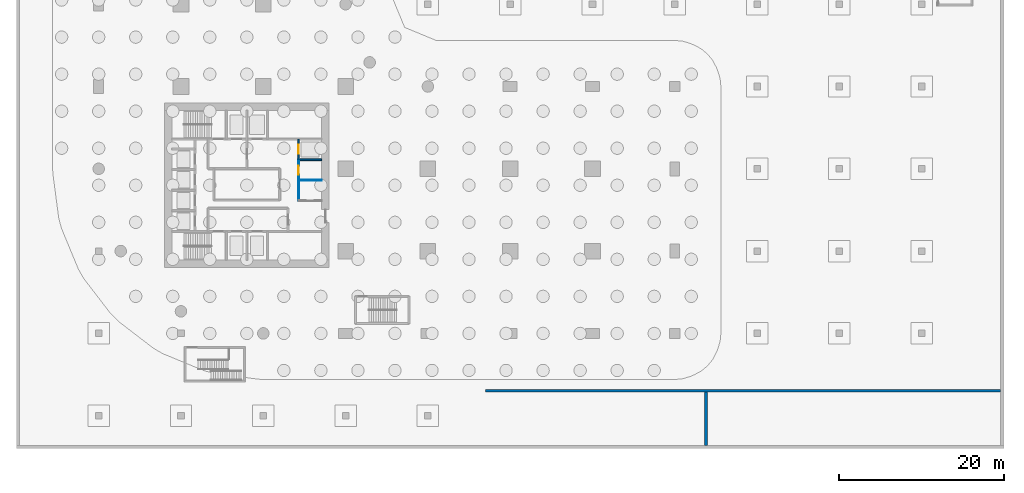
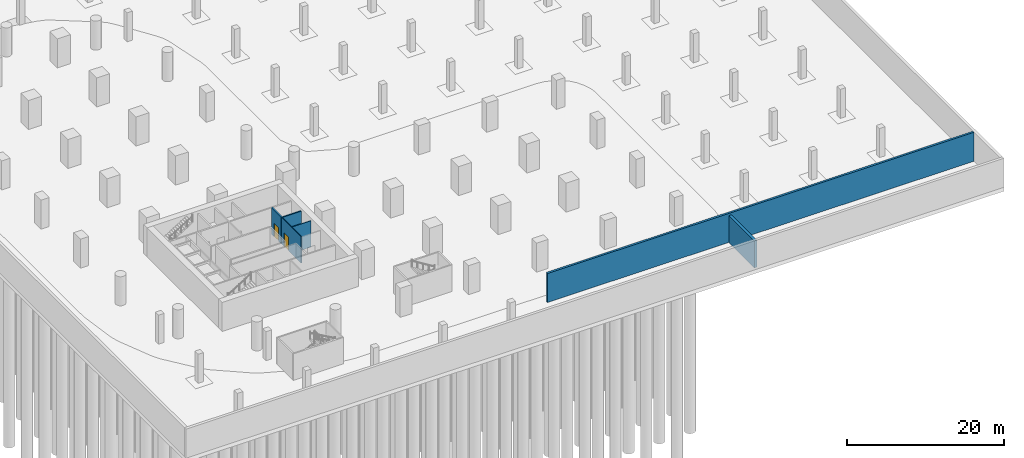
# One storey, part 9 of 19: 6 walls, 2 doors, 2 openings.
"""IFC4 building model written with IfcOpenShell, lengths in metres."""

from ifc_helpers import new_model, si_unit, direction, frame, frame_2d, origin, place, context, subcontext, project, spatial, rectangle, extrude, material, layer, layer_set, type_object, element, fill, save


model = new_model("IFC4")

# Units and contexts
model_context = context("Model", 3, precision=1e-05, world=origin(), true_north=direction((0.0, 1.0)))
body_context = subcontext(model_context, "Body", "Model", "MODEL_VIEW")
ifc_project = project(units=[si_unit("LENGTHUNIT", "METRE"), si_unit("AREAUNIT", "SQUARE_METRE"), si_unit("VOLUMEUNIT", "CUBIC_METRE"), si_unit("PLANEANGLEUNIT", "RADIAN"), si_unit("MASSUNIT", "GRAM", prefix="KILO")], contexts=[model_context])

# Site, building, storey
site_placement = place(None, origin())
site = spatial("IfcSite", under=ifc_project, at=site_placement, CompositionType="ELEMENT")
building_placement = place(site_placement, origin())
building = spatial("IfcBuilding", under=site, at=building_placement, Name="Qaws Garden Tower", CompositionType="ELEMENT")
storey_placement = place(building_placement, frame((0.0, 0.0, -9.0)))
storey = spatial("IfcBuildingStorey", under=building, at=storey_placement, Name="B2", CompositionType="ELEMENT", Elevation=-9.0)

# Wall
ifc_material_1 = material(Name="Plasterboard")
ifc_layer_1 = layer(ifc_material_1, 0.10009765625)
ifc_layer_set_1 = layer_set([ifc_layer_1], Name="Plasterboard")
wall_type_1 = type_object("IfcWallType", Name="Core partition 100", PredefinedType="PARTITIONING", material=ifc_layer_set_1)
wall_1_placement = place(storey_placement, frame((24.300048828125, 18.60009765625, 0.0), z_axis=(0.0, 0.0, 1.0), x_axis=(1.0, 0.0, 0.0)))
element("IfcWall", 1, at=wall_1_placement, inside=storey, type_object=wall_type_1, Name="Core partition", PredefinedType="PARTITIONING", context=body_context, shape_type="SweptSolid", body=[
    extrude(rectangle(XDim=2.800048828125, YDim=0.10009765625, at=frame_2d((1.39990234375, 0.0))), origin(), (0.0, 0.0, 1.0), 4.10009765625),
])

# Wall, opening, door
wall_2_placement = place(storey_placement, frame((24.300048828125, 16.10009765625, 0.0), z_axis=(0.0, 0.0, 1.0), x_axis=(0.0, 1.0, 0.0)))
wall_2 = element("IfcWall", 2, at=wall_2_placement, inside=storey, type_object=wall_type_1, Name="Core partition", PredefinedType="PARTITIONING", context=body_context, shape_type="SweptSolid", body=[
    extrude(rectangle(XDim=5.0, YDim=0.10009765625, at=frame_2d((2.5, 0.0))), origin(), (0.0, 0.0, 1.0), 4.10009765625),
])
opening_1_placement = place(wall_2_placement, frame((3.199951171875, 0.0, 0.0)))
opening_1 = element("IfcOpeningElement", 3, at=opening_1_placement, cuts=wall_2, Name="Opening XD16", PredefinedType="OPENING", context=body_context, shape_type="SweptSolid", body=[
    extrude(rectangle(XDim=1.10009765625, YDim=2.10009765625, at=frame_2d((0.550048828125, 1.050048828125))), frame((0.0, 0.06005859375, 0.0), z_axis=(0.0, -1.0, 0.0), x_axis=(1.0, 0.0, 0.0)), (0.0, 0.0, 1.0), 0.1201171875),
])
ifc_material_2 = material(Name="Timber", Category="wood")
door_type_1 = type_object("IfcDoorType", Name="WC lobby door 1100x2100", OperationType="SINGLE_SWING_LEFT", PredefinedType="DOOR", material=ifc_material_2)
door_1_placement = place(opening_1_placement, frame((1.10009765625, 0.0, 0.0), z_axis=(0.0, 0.0, 1.0), x_axis=(-1.0, 0.0, 0.0)))
door_1 = element("IfcDoor", 4, at=door_1_placement, inside=storey, type_object=door_type_1, Name="Pump and sump room door", OperationType="SINGLE_SWING_LEFT", OverallHeight=2.10009765625, OverallWidth=1.10009765625, PredefinedType="DOOR", context=body_context, shape_type="SweptSolid", body=[
    extrude(rectangle(XDim=1.10009765625, YDim=2.10009765625, at=frame_2d((0.550048828125, 1.050048828125))), frame((0.0, 0.02490234375, 0.0), z_axis=(0.0, -1.0, 0.0), x_axis=(1.0, 0.0, 0.0)), (0.0, 0.0, 1.0), 0.050048828125),
])
fill(opening_1, door_1)

# Wall
ifc_material_3 = material(Name="Concrete C80", Category="concrete")
ifc_layer_2 = layer(ifc_material_3, 0.199951171875)
ifc_layer_set_2 = layer_set([ifc_layer_2], Name="Concrete C80")
wall_type_2 = type_object("IfcWallType", Name="Core shaft wall 200 C80", PredefinedType="SHEAR", material=ifc_layer_set_2)
wall_3_placement = place(storey_placement, frame((24.300048828125, 21.10009765625, 0.0), z_axis=(0.0, 0.0, 1.0), x_axis=(1.0, 0.0, 0.0)))
element("IfcWall", 5, at=wall_3_placement, inside=storey, type_object=wall_type_2, Name="Shaft wall", PredefinedType="SHEAR", context=body_context, shape_type="SweptSolid", body=[
    extrude(rectangle(XDim=2.800048828125, YDim=0.199951171875, at=frame_2d((1.39990234375, 0.0))), origin(), (0.0, 0.0, 1.0), 4.10009765625),
])

# Wall, opening, door
wall_4_placement = place(storey_placement, frame((24.300048828125, 21.10009765625, 0.0), z_axis=(0.0, 0.0, 1.0), x_axis=(0.0, 1.0, 0.0)))
wall_4 = element("IfcWall", 6, at=wall_4_placement, inside=storey, type_object=wall_type_2, Name="Shaft wall", PredefinedType="SHEAR", context=body_context, shape_type="SweptSolid", body=[
    extrude(rectangle(XDim=2.5, YDim=0.199951171875, at=frame_2d((1.25, 0.0))), origin(), (0.0, 0.0, 1.0), 4.10009765625),
])
opening_2_placement = place(wall_4_placement, frame((0.699951171875, 0.0, 0.0)))
opening_2 = element("IfcOpeningElement", 7, at=opening_2_placement, cuts=wall_4, Name="Opening LD05", PredefinedType="OPENING", context=body_context, shape_type="SweptSolid", body=[
    extrude(rectangle(XDim=1.10009765625, YDim=2.10009765625, at=frame_2d((0.550048828125, 1.050048828125))), frame((0.0, 0.10986328125, 0.0), z_axis=(0.0, -1.0, 0.0), x_axis=(1.0, 0.0, 0.0)), (0.0, 0.0, 1.0), 0.219970703125),
])
ifc_material_4 = material(Name="Steel S235", Category="steel")
door_type_2 = type_object("IfcDoorType", Name="Landing door 1100x2100", OperationType="DOUBLE_DOOR_SLIDING", PredefinedType="DOOR", material=ifc_material_4)
door_2_placement = place(opening_2_placement, origin())
door_2 = element("IfcDoor", 8, at=door_2_placement, inside=storey, type_object=door_type_2, Name="Lift E3 landing door", OperationType="DOUBLE_DOOR_SLIDING", OverallHeight=2.10009765625, OverallWidth=1.10009765625, PredefinedType="DOOR", context=body_context, shape_type="SweptSolid", body=[
    extrude(rectangle(XDim=1.10009765625, YDim=2.10009765625, at=frame_2d((0.550048828125, 1.050048828125))), frame((0.0, 0.02490234375, 0.0), z_axis=(0.0, -1.0, 0.0), x_axis=(1.0, 0.0, 0.0)), (0.0, 0.0, 1.0), 0.050048828125),
])
fill(opening_2, door_2)

# Walls
ifc_material_5 = material(Name="Concrete C45", Category="concrete")
ifc_layer_3 = layer(ifc_material_5, 0.300048828125)
ifc_layer_set_3 = layer_set([ifc_layer_3], Name="Concrete C45")
wall_type_3 = type_object("IfcWallType", Name="Ramp trench wall 300", PredefinedType="SOLIDWALL", material=ifc_layer_set_3)
wall_5_placement = place(storey_placement, frame((47.0, -6.949951171875, 0.0), z_axis=(0.0, 0.0, 1.0), x_axis=(1.0, 0.0, 0.0)))
element("IfcWall", 9, at=wall_5_placement, inside=storey, type_object=wall_type_3, Name="Ramp trench wall B2", PredefinedType="SOLIDWALL", context=body_context, shape_type="SweptSolid", body=[
    extrude(rectangle(XDim=62.60009765625, YDim=0.300048828125, at=frame_2d((31.300048828125, 0.0))), origin(), (0.0, 0.0, 1.0), 4.5),
])
ifc_material_6 = material(Name="Concrete C45", Category="concrete")
ifc_layer_4 = layer(ifc_material_6, 0.39990234375)
ifc_layer_set_4 = layer_set([ifc_layer_4], Name="Concrete C45")
wall_type_4 = type_object("IfcWallType", Name="Retaining wall 400", PredefinedType="SOLIDWALL", material=ifc_layer_set_4)
wall_6_placement = place(storey_placement, frame((73.800048828125, -13.60009765625, 0.0), z_axis=(0.0, 0.0, 1.0), x_axis=(0.0, 1.0, 0.0)))
element("IfcWall", 10, at=wall_6_placement, inside=storey, type_object=wall_type_4, Name="Retaining wall at the head of ramp 2", PredefinedType="SOLIDWALL", context=body_context, shape_type="SweptSolid", body=[
    extrude(rectangle(XDim=6.5, YDim=0.39990234375, at=frame_2d((3.25, 0.0))), origin(), (0.0, 0.0, 1.0), 4.166748046875),
])

save(model, "model.ifc")
